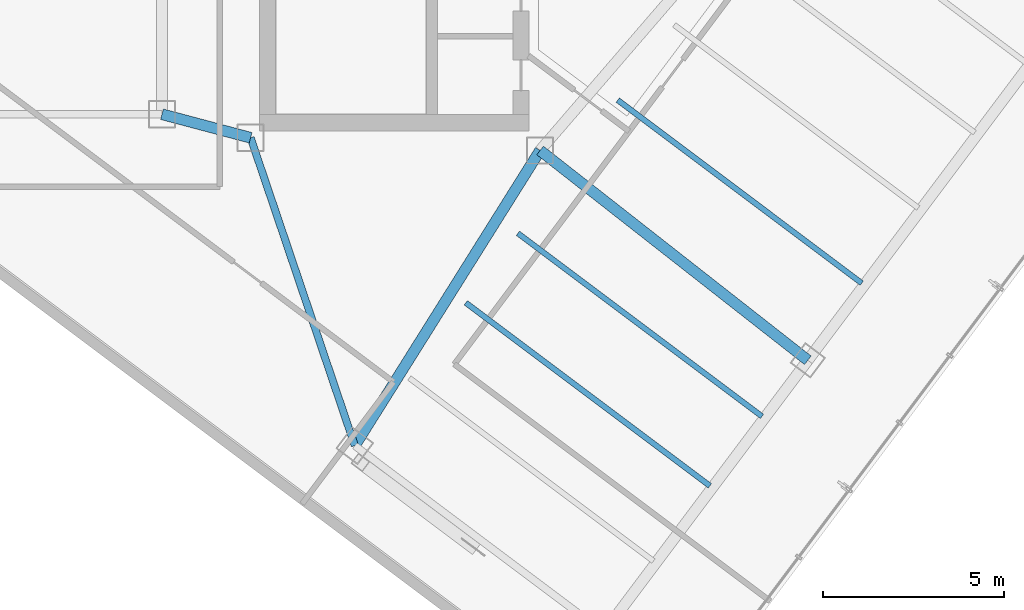
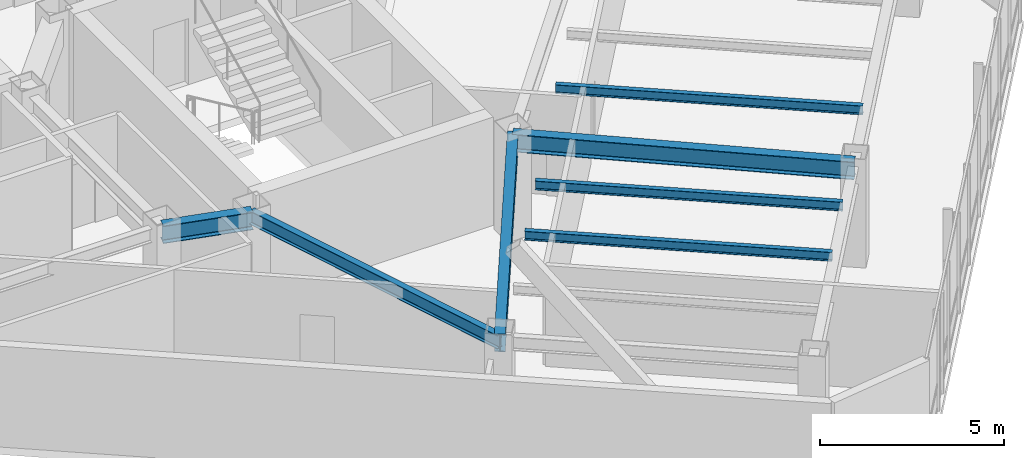
# One storey, part 3 of 25: 7 beams.
"""IFC4 building model written with IfcOpenShell, lengths in metres."""

from ifc_helpers import new_model, si_unit, direction, frame, origin, origin_2d, place, context, subcontext, project, spatial, i_section, extrude, material, material_profile, profile_set, type_object, element, save


model = new_model("IFC4")

# Units and contexts
model_context = context("Model", 3, precision=1e-05, world=origin(), true_north=direction((0.0, 1.0)))
body_context = subcontext(model_context, "Body", "Model", "MODEL_VIEW")
ifc_project = project(units=[si_unit("LENGTHUNIT", "METRE"), si_unit("AREAUNIT", "SQUARE_METRE"), si_unit("VOLUMEUNIT", "CUBIC_METRE"), si_unit("PLANEANGLEUNIT", "RADIAN"), si_unit("MASSUNIT", "GRAM", prefix="KILO")], contexts=[model_context])

# Site, building, storey
site_placement = place(None, origin())
site = spatial("IfcSite", under=ifc_project, at=site_placement, CompositionType="ELEMENT")
building_placement = place(site_placement, origin())
building = spatial("IfcBuilding", under=site, at=building_placement, Name="Hatsunagi Terrace Concourse", CompositionType="ELEMENT")
storey_placement = place(building_placement, frame((0.0, 0.0, 205.949951171875)))
storey = spatial("IfcBuildingStorey", under=building, at=storey_placement, Name="L54", CompositionType="ELEMENT", Elevation=205.949951171875)

# Beams
ifc_material_1 = material(Name="Steel SN490B", Category="steel")
ifc_material_profile_1 = material_profile(ifc_material_1, i_section(OverallWidth=0.300048828125, OverallDepth=0.587890625, WebThickness=0.011962890625, FlangeThickness=0.02001953125, FilletRadius=0.01806640625, at=origin_2d()), Name="H-588x300x12x20")
ifc_profile_set_1 = profile_set([ifc_material_profile_1], Name="Steel SN490B")
beam_type_1 = type_object("IfcBeamType", Name="OfficeHighGirder_H_588x300", PredefinedType="BEAM", material=ifc_profile_set_1)
beam_1_placement = place(storey_placement, frame((33.35009765625, 25.199951171875, 3.05615234375), z_axis=(0.966569840116, -0.256403479262, 0.0), x_axis=(0.256403479262, 0.966569840116, 0.0)))
element("IfcBeam", 1, at=beam_1_placement, inside=storey, type_object=beam_type_1, Name="Beam G-06 BM-L54-K2CB", PredefinedType="BEAM", context=body_context, shape_type="SweptSolid", body=[
    extrude(i_section(OverallWidth=0.300048828125, OverallDepth=0.587890625, WebThickness=0.011962890625, FlangeThickness=0.02001953125, FilletRadius=0.01806640625, at=origin_2d()), origin(), (0.0, 0.0, 1.0), 2.53466796875),
])
beam_2_placement = place(storey_placement, frame((38.679931640625, 16.0400390625, 3.05615234375), z_axis=(0.531503907049, 0.847055840421, 0.0), x_axis=(-0.847055840421, 0.531503907049, 0.0)))
element("IfcBeam", 2, at=beam_2_placement, inside=storey, type_object=beam_type_1, Name="Beam G-06 BM-L54-SET-1A", PredefinedType="BEAM", context=body_context, shape_type="SweptSolid", body=[
    extrude(i_section(OverallWidth=0.300048828125, OverallDepth=0.587890625, WebThickness=0.011962890625, FlangeThickness=0.02001953125, FilletRadius=0.01806640625, at=origin_2d()), origin(), (0.0, 0.0, 1.0), 9.63330078125),
])
beam_3_placement = place(storey_placement, frame((43.800048828125, 24.199951171875, 3.05615234375), z_axis=(0.787049441068, -0.616889923175, 0.0), x_axis=(0.616889923175, 0.787049441068, 0.0)))
element("IfcBeam", 3, at=beam_3_placement, inside=storey, type_object=beam_type_1, Name="Beam G-06 BM-L54-SE-M2", PredefinedType="BEAM", context=body_context, shape_type="SweptSolid", body=[
    extrude(i_section(OverallWidth=0.300048828125, OverallDepth=0.587890625, WebThickness=0.011962890625, FlangeThickness=0.02001953125, FilletRadius=0.01806640625, at=origin_2d()), origin(), (0.0, 0.0, 1.0), 9.402099609375),
])
ifc_material_2 = material(Name="Steel SN490B", Category="steel")
ifc_material_profile_2 = material_profile(ifc_material_2, i_section(OverallWidth=0.14990234375, OverallDepth=0.300048828125, WebThickness=0.006591796875, FlangeThickness=0.009033203125, FilletRadius=0.010986328125, at=origin_2d()), Name="H-300x150x6.5x9")
ifc_profile_set_2 = profile_set([ifc_material_profile_2], Name="Steel SN490B")
beam_type_2 = type_object("IfcBeamType", Name="OfficeJoist_H_300x150", PredefinedType="JOIST", material=ifc_profile_set_2)
for number, where, z_axis, x_axis, name in (
    (4, (41.748046875, 19.989013671875, 3.199951171875), (0.799989573921, -0.600013901187, 0.0), (0.600013901187, 0.799989573921, 0.0), "Beam J-03 J-L54-SE-2-72"),
    (5, (43.18798828125, 21.908935546875, 3.199951171875), (0.800003475366, -0.59999536615, 0.0), (0.59999536615, 0.800003475366, 0.0), "Beam J-03 J-L54-SE-2-96"),
    (6, (45.947998046875, 25.589111328125, 3.199951171875), (0.799989573921, -0.600013901187, 0.0), (0.600013901187, 0.799989573921, 0.0), "Beam J-03 J-L54-SE-2-142"),
):
    element("IfcBeam", number, at=place(storey_placement, frame(where, z_axis=z_axis, x_axis=x_axis)), inside=storey, type_object=beam_type_2, Name=name, PredefinedType="JOIST", context=body_context, shape_type="SweptSolid", body=[
        extrude(i_section(OverallWidth=0.14990234375, OverallDepth=0.300048828125, WebThickness=0.006591796875, FlangeThickness=0.009033203125, FilletRadius=0.010986328125, at=origin_2d()), origin(), (0.0, 0.0, 1.0), 8.429931640625),
    ])
ifc_material_3 = material(Name="Steel SN490B", Category="steel")
ifc_material_profile_3 = material_profile(ifc_material_3, i_section(OverallWidth=0.199951171875, OverallDepth=0.449951171875, WebThickness=0.009033203125, FlangeThickness=0.013916015625, FilletRadius=0.01611328125, at=origin_2d()), Name="H-450x200x9x14")
ifc_profile_set_3 = profile_set([ifc_material_profile_3], Name="Steel SN490B")
beam_type_3 = type_object("IfcBeamType", Name="PerimeterSpandrel_H_450x200", PredefinedType="SPANDREL", material=ifc_profile_set_3)
beam_4_placement = place(storey_placement, frame((35.800048828125, 24.550048828125, 3.125), z_axis=(0.320553412271, -0.947230441805, 0.0), x_axis=(0.947230441805, 0.320553412271, 0.0)))
element("IfcBeam", 7, at=beam_4_placement, inside=storey, type_object=beam_type_3, Name="Beam SP-02 BM-L54-SE-SW0", PredefinedType="SPANDREL", context=body_context, shape_type="SweptSolid", body=[
    extrude(i_section(OverallWidth=0.199951171875, OverallDepth=0.449951171875, WebThickness=0.009033203125, FlangeThickness=0.013916015625, FilletRadius=0.01611328125, at=origin_2d()), origin(), (0.0, 0.0, 1.0), 8.984130859375),
])

save(model, "model.ifc")
